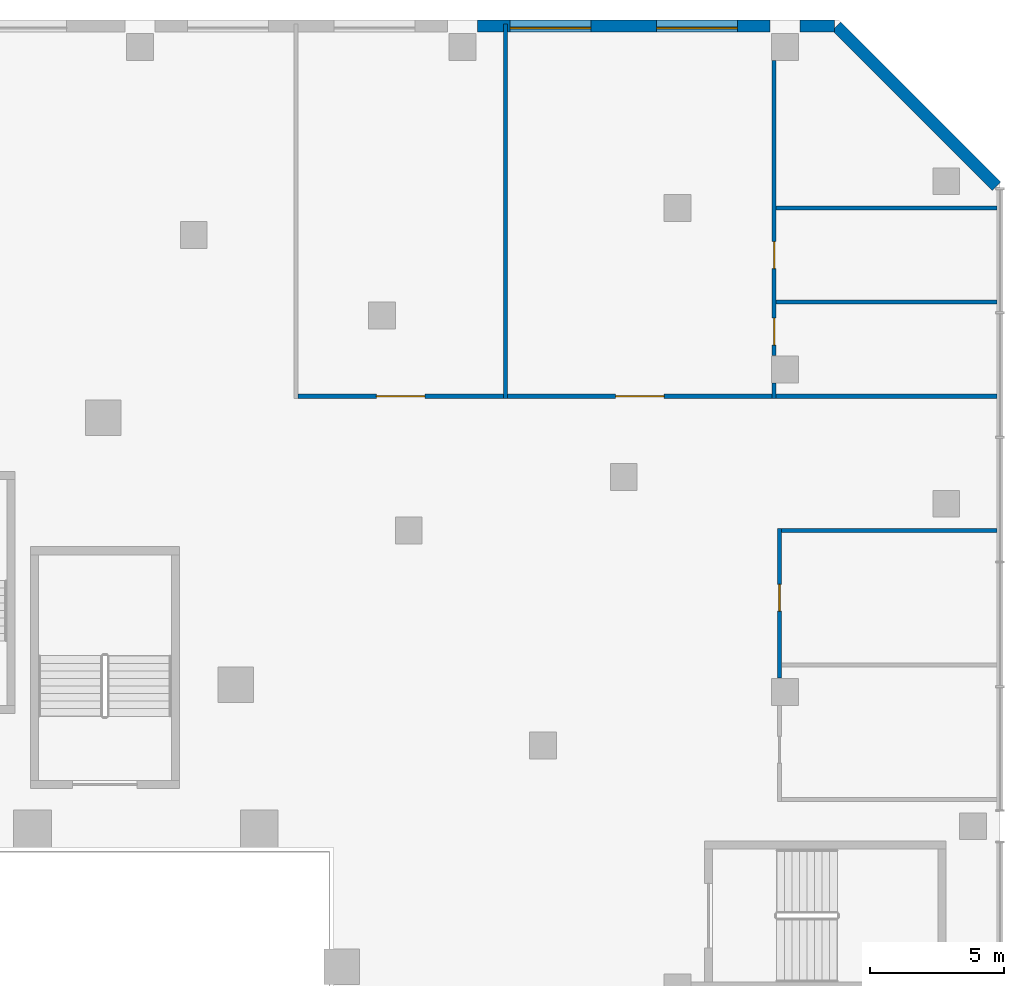
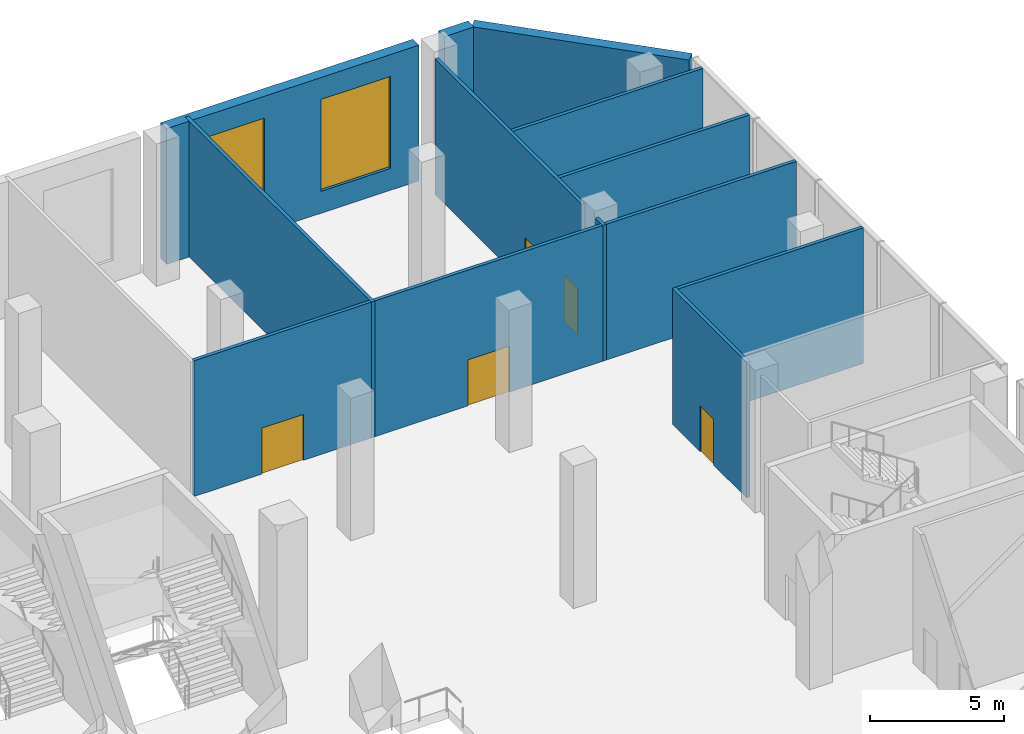
# One storey, part 17 of 30: 13 walls, 5 doors, 2 windows, 7 openings.
"""IFC4 building model written with IfcOpenShell, lengths in metres."""

from ifc_helpers import new_model, si_unit, direction, frame, frame_2d, origin, place, context, subcontext, project, spatial, rectangle, extrude, material, layer, layer_set, type_object, element, fill, save


model = new_model("IFC4")

# Units and contexts
model_context = context("Model", 3, precision=1e-05, world=origin(), true_north=direction((0.0, 1.0)))
body_context = subcontext(model_context, "Body", "Model", "MODEL_VIEW")
ifc_project = project(units=[si_unit("LENGTHUNIT", "METRE"), si_unit("AREAUNIT", "SQUARE_METRE"), si_unit("VOLUMEUNIT", "CUBIC_METRE"), si_unit("PLANEANGLEUNIT", "RADIAN"), si_unit("MASSUNIT", "GRAM", prefix="KILO")], contexts=[model_context])

# Site, building, storey
site_placement = place(None, origin())
site = spatial("IfcSite", under=ifc_project, at=site_placement, CompositionType="ELEMENT")
building_placement = place(site_placement, origin())
building = spatial("IfcBuilding", under=site, at=building_placement, Name="Wharfspan Tower", CompositionType="ELEMENT")
storey_placement = place(building_placement, frame((0.0, 0.0, 15.0)))
storey = spatial("IfcBuildingStorey", under=building, at=storey_placement, Name="L02", CompositionType="ELEMENT", Elevation=15.0)

# Wall, opening, door
ifc_material_1 = material(Name="Calcium silicate masonry", Category="masonry")
ifc_layer_1 = layer(ifc_material_1, 0.149902)
ifc_layer_set_1 = layer_set([ifc_layer_1], Name="Calcium silicate masonry")
wall_type_1 = type_object("IfcWallType", Name="Podium room wall 150", PredefinedType="PARTITIONING", material=ifc_layer_set_1)
wall_1_placement = place(storey_placement, frame((99.800049, 31.51001, 0.0), z_axis=(0.0, 0.0, 1.0), x_axis=(0.0, 1.0, 0.0)))
wall_1 = element("IfcWall", 1, at=wall_1_placement, inside=storey, type_object=wall_type_1, Name="iw:L02:23", PredefinedType="PARTITIONING", context=body_context, shape_type="SweptSolid", body=[
    extrude(rectangle(XDim=5.564941, YDim=0.149902, at=frame_2d((2.782471, 0.0))), origin(), (0.0, 0.0, 1.0), 6.199951),
])
opening_1_placement = place(wall_1_placement, frame((2.48999, 0.0, 0.0)))
opening_1 = element("IfcOpeningElement", 2, at=opening_1_placement, cuts=wall_1, Name="Opening PD02.19", PredefinedType="OPENING", context=body_context, shape_type="SweptSolid", body=[
    extrude(rectangle(XDim=1.0, YDim=2.100098, at=frame_2d((0.5, 1.050049))), frame((0.0, 0.084961, 0.0), z_axis=(0.0, -1.0, 0.0), x_axis=(1.0, 0.0, 0.0)), (0.0, 0.0, 1.0), 0.169922),
])
ifc_material_2 = material(Name="Steel door leaf", Category="steel")
door_type_1 = type_object("IfcDoorType", Name="Podium room door 1000x2100", OperationType="SINGLE_SWING_LEFT", PredefinedType="DOOR", material=ifc_material_2)
door_1_placement = place(opening_1_placement, origin())
door_1 = element("IfcDoor", 3, at=door_1_placement, inside=storey, type_object=door_type_1, Name="id:L02:19", OperationType="SINGLE_SWING_RIGHT", OverallHeight=2.100098, OverallWidth=1.0, PredefinedType="DOOR", context=body_context, shape_type="SweptSolid", body=[
    extrude(rectangle(XDim=1.0, YDim=2.100098, at=frame_2d((0.5, 1.050049))), frame((0.0, 0.024902, 0.0), z_axis=(0.0, -1.0, 0.0), x_axis=(1.0, 0.0, 0.0)), (0.0, 0.0, 1.0), 0.050049),
])
fill(opening_1, door_1)

# Wall
wall_2_placement = place(storey_placement, frame((99.875, 37.0, 0.0), z_axis=(0.0, 0.0, 1.0), x_axis=(1.0, 0.0, 0.0)))
element("IfcWall", 4, at=wall_2_placement, inside=storey, type_object=wall_type_1, Name="iw:L02:33", PredefinedType="PARTITIONING", context=body_context, shape_type="SweptSolid", body=[
    extrude(rectangle(XDim=8.02002, YDim=0.149902, at=frame_2d((4.01001, 0.0))), origin(), (0.0, 0.0, 1.0), 6.199951),
])

# Wall, opening, door
wall_3_placement = place(storey_placement, frame((81.875, 42.0, 0.0), z_axis=(0.0, 0.0, 1.0), x_axis=(1.0, 0.0, 0.0)))
wall_3 = element("IfcWall", 5, at=wall_3_placement, inside=storey, type_object=wall_type_1, Name="iw:L02:34", PredefinedType="PARTITIONING", context=body_context, shape_type="SweptSolid", body=[
    extrude(rectangle(XDim=7.649902, YDim=0.149902, at=frame_2d((3.824951, 0.0))), origin(), (0.0, 0.0, 1.0), 6.199951),
])
opening_2_placement = place(wall_3_placement, frame((2.925049, 0.0, 0.0)))
opening_2 = element("IfcOpeningElement", 6, at=opening_2_placement, cuts=wall_3, Name="Opening PD02.23", PredefinedType="OPENING", context=body_context, shape_type="SweptSolid", body=[
    extrude(rectangle(XDim=1.800049, YDim=2.100098, at=frame_2d((0.899902, 1.050049))), frame((0.0, 0.084961, 0.0), z_axis=(0.0, -1.0, 0.0), x_axis=(1.0, 0.0, 0.0)), (0.0, 0.0, 1.0), 0.169922),
])
door_type_2 = type_object("IfcDoorType", Name="Podium double door 1800x2100", OperationType="DOUBLE_DOOR_SINGLE_SWING", PredefinedType="DOOR", material=ifc_material_2)
door_2_placement = place(opening_2_placement, origin())
door_2 = element("IfcDoor", 7, at=door_2_placement, inside=storey, type_object=door_type_2, Name="id:L02:23", OperationType="DOUBLE_DOOR_SINGLE_SWING", OverallHeight=2.100098, OverallWidth=1.800049, PredefinedType="DOOR", context=body_context, shape_type="SweptSolid", body=[
    extrude(rectangle(XDim=1.800049, YDim=2.100098, at=frame_2d((0.899902, 1.050049))), frame((0.0, 0.024902, 0.0), z_axis=(0.0, -1.0, 0.0), x_axis=(1.0, 0.0, 0.0)), (0.0, 0.0, 1.0), 0.050049),
])
fill(opening_2, door_2)

wall_4_placement = place(storey_placement, frame((89.675049, 42.0, 0.0), z_axis=(0.0, 0.0, 1.0), x_axis=(1.0, 0.0, 0.0)))
wall_4 = element("IfcWall", 8, at=wall_4_placement, inside=storey, type_object=wall_type_1, Name="iw:L02:35", PredefinedType="PARTITIONING", context=body_context, shape_type="SweptSolid", body=[
    extrude(rectangle(XDim=9.849854, YDim=0.149902, at=frame_2d((4.924805, 0.0))), origin(), (0.0, 0.0, 1.0), 6.199951),
])
opening_3_placement = place(wall_4_placement, frame((4.024902, 0.0, 0.0)))
opening_3 = element("IfcOpeningElement", 9, at=opening_3_placement, cuts=wall_4, Name="Opening PD02.24", PredefinedType="OPENING", context=body_context, shape_type="SweptSolid", body=[
    extrude(rectangle(XDim=1.800049, YDim=2.100098, at=frame_2d((0.899902, 1.050049))), frame((0.0, 0.084961, 0.0), z_axis=(0.0, -1.0, 0.0), x_axis=(1.0, 0.0, 0.0)), (0.0, 0.0, 1.0), 0.169922),
])
door_3_placement = place(opening_3_placement, origin())
door_3 = element("IfcDoor", 10, at=door_3_placement, inside=storey, type_object=door_type_2, Name="id:L02:24", OperationType="DOUBLE_DOOR_SINGLE_SWING", OverallHeight=2.100098, OverallWidth=1.800049, PredefinedType="DOOR", context=body_context, shape_type="SweptSolid", body=[
    extrude(rectangle(XDim=1.800049, YDim=2.100098, at=frame_2d((0.899902, 1.050049))), frame((0.0, 0.024902, 0.0), z_axis=(0.0, -1.0, 0.0), x_axis=(1.0, 0.0, 0.0)), (0.0, 0.0, 1.0), 0.050049),
])
fill(opening_3, door_3)

# Walls
for number, where, z_axis, x_axis, name in (
    (11, (99.675049, 42.0, 0.0), (0.0, 0.0, 1.0), (1.0, 0.0, 0.0), "iw:L02:36"),
    (12, (99.675049, 45.5, 0.0), (0.0, 0.0, 1.0), (1.0, 0.0, 0.0), "iw:L02:37"),
):
    element("IfcWall", number, at=place(storey_placement, frame(where, z_axis=z_axis, x_axis=x_axis)), inside=storey, type_object=wall_type_1, Name=name, PredefinedType="PARTITIONING", context=body_context, shape_type="SweptSolid", body=[
        extrude(rectangle(XDim=8.219971, YDim=0.149902, at=frame_2d((4.109863, 0.0))), origin(), (0.0, 0.0, 1.0), 6.199951),
    ])
wall_5_placement = place(storey_placement, frame((99.600098, 41.925049, 0.0), z_axis=(0.0, 0.0, 1.0), x_axis=(0.0, 1.0, 0.0)))
element("IfcWall", 13, at=wall_5_placement, inside=storey, type_object=wall_type_1, Name="iw:L02:38", PredefinedType="PARTITIONING", context=body_context, shape_type="SweptSolid", body=[
    extrude(rectangle(XDim=0.564941, YDim=0.149902, at=frame_2d((0.282471, 0.0))), origin(), (0.0, 0.0, 1.0), 6.199951),
])

# Wall, openings, doors
wall_6_placement = place(storey_placement, frame((99.600098, 43.51001, 0.0), z_axis=(0.0, 0.0, 1.0), x_axis=(0.0, 1.0, 0.0)))
wall_6 = element("IfcWall", 14, at=wall_6_placement, inside=storey, type_object=wall_type_1, Name="iw:L02:39", PredefinedType="PARTITIONING", context=body_context, shape_type="SweptSolid", body=[
    extrude(rectangle(XDim=10.97998, YDim=0.149902, at=frame_2d((5.48999, 0.0))), origin(), (0.0, 0.0, 1.0), 6.199951),
])
opening_4_placement = place(wall_6_placement, frame((0.39502, 0.0, 0.0)))
opening_4 = element("IfcOpeningElement", 15, at=opening_4_placement, cuts=wall_6, Name="Opening PD02.20", PredefinedType="OPENING", context=body_context, shape_type="SweptSolid", body=[
    extrude(rectangle(XDim=1.0, YDim=2.100098, at=frame_2d((0.5, 1.050049))), frame((0.0, 0.084961, 0.0), z_axis=(0.0, -1.0, 0.0), x_axis=(1.0, 0.0, 0.0)), (0.0, 0.0, 1.0), 0.169922),
])
opening_5_placement = place(wall_6_placement, frame((3.23999, 0.0, 0.0)))
opening_5 = element("IfcOpeningElement", 16, at=opening_5_placement, cuts=wall_6, Name="Opening PD02.21", PredefinedType="OPENING", context=body_context, shape_type="SweptSolid", body=[
    extrude(rectangle(XDim=1.0, YDim=2.100098, at=frame_2d((0.5, 1.050049))), frame((0.0, 0.084961, 0.0), z_axis=(0.0, -1.0, 0.0), x_axis=(1.0, 0.0, 0.0)), (0.0, 0.0, 1.0), 0.169922),
])
door_4_placement = place(opening_4_placement, origin())
door_4 = element("IfcDoor", 17, at=door_4_placement, inside=storey, type_object=door_type_1, Name="id:L02:20", OperationType="SINGLE_SWING_LEFT", OverallHeight=2.100098, OverallWidth=1.0, PredefinedType="DOOR", context=body_context, shape_type="SweptSolid", body=[
    extrude(rectangle(XDim=1.0, YDim=2.100098, at=frame_2d((0.5, 1.050049))), frame((0.0, 0.024902, 0.0), z_axis=(0.0, -1.0, 0.0), x_axis=(1.0, 0.0, 0.0)), (0.0, 0.0, 1.0), 0.050049),
])
fill(opening_4, door_4)
door_5_placement = place(opening_5_placement, origin())
door_5 = element("IfcDoor", 18, at=door_5_placement, inside=storey, type_object=door_type_1, Name="id:L02:21", OperationType="SINGLE_SWING_RIGHT", OverallHeight=2.100098, OverallWidth=1.0, PredefinedType="DOOR", context=body_context, shape_type="SweptSolid", body=[
    extrude(rectangle(XDim=1.0, YDim=2.100098, at=frame_2d((0.5, 1.050049))), frame((0.0, 0.024902, 0.0), z_axis=(0.0, -1.0, 0.0), x_axis=(1.0, 0.0, 0.0)), (0.0, 0.0, 1.0), 0.050049),
])
fill(opening_5, door_5)

# Walls
wall_7_placement = place(storey_placement, frame((99.675049, 49.0, 0.0), z_axis=(0.0, 0.0, 1.0), x_axis=(1.0, 0.0, 0.0)))
element("IfcWall", 19, at=wall_7_placement, inside=storey, type_object=wall_type_1, Name="iw:L02:40", PredefinedType="PARTITIONING", context=body_context, shape_type="SweptSolid", body=[
    extrude(rectangle(XDim=8.219971, YDim=0.149902, at=frame_2d((4.109863, 0.0))), origin(), (0.0, 0.0, 1.0), 6.199951),
])
wall_8_placement = place(storey_placement, frame((89.600098, 41.925049, 0.0), z_axis=(0.0, 0.0, 1.0), x_axis=(0.0, 1.0, 0.0)))
element("IfcWall", 20, at=wall_8_placement, inside=storey, type_object=wall_type_1, Name="iw:L02:47", PredefinedType="PARTITIONING", context=body_context, shape_type="SweptSolid", body=[
    extrude(rectangle(XDim=13.925049, YDim=0.149902, at=frame_2d((6.962402, 0.0))), origin(), (0.0, 0.0, 1.0), 6.199951),
])
ifc_material_3 = material(Name="Concrete C40/50", Category="concrete")
ifc_layer_2 = layer(ifc_material_3, 0.449951)
ifc_layer_set_2 = layer_set([ifc_layer_2], Name="Concrete C40/50")
wall_type_2 = type_object("IfcWallType", Name="WALL BOARD-MARKED CONCRETE 450", PredefinedType="SOLIDWALL", material=ifc_layer_set_2)
wall_9_placement = place(storey_placement, frame((107.869141, 49.8125, 0.0), z_axis=(0.0, 0.0, 1.0), x_axis=(-0.707092, 0.707121, 0.0)))
element("IfcWall", 21, at=wall_9_placement, inside=storey, type_object=wall_type_2, Name="Podium wall PF4", PredefinedType="SOLIDWALL", context=body_context, shape_type="SweptSolid", body=[
    extrude(rectangle(XDim=8.425293, YDim=0.449951, at=frame_2d((4.212646, 0.0))), origin(), (0.0, 0.0, 1.0), 6.199951),
])

# Wall, openings, windows
wall_10_placement = place(storey_placement, frame((99.449951, 55.774902, 0.0), z_axis=(0.0, 0.0, 1.0), x_axis=(-1.0, 0.0, 0.0)))
wall_10 = element("IfcWall", 22, at=wall_10_placement, inside=storey, type_object=wall_type_2, Name="Podium wall PF5", PredefinedType="SOLIDWALL", context=body_context, shape_type="SweptSolid", body=[
    extrude(rectangle(XDim=10.899902, YDim=0.449951, at=frame_2d((5.449951, 0.0))), origin(), (0.0, 0.0, 1.0), 6.199951),
])
opening_6_placement = place(wall_10_placement, frame((1.225098, 0.0, 1.0)))
opening_6 = element("IfcOpeningElement", 23, at=opening_6_placement, cuts=wall_10, Name="Opening EWN2", PredefinedType="OPENING", context=body_context, shape_type="SweptSolid", body=[
    extrude(rectangle(XDim=3.0, YDim=4.199951, at=frame_2d((1.5, 2.100098))), frame((0.0, 0.234863, 0.0), z_axis=(0.0, -1.0, 0.0), x_axis=(1.0, 0.0, 0.0)), (0.0, 0.0, 1.0), 0.469971),
])
opening_7_placement = place(wall_10_placement, frame((6.675049, 0.0, 1.0)))
opening_7 = element("IfcOpeningElement", 24, at=opening_7_placement, cuts=wall_10, Name="Opening EWN2", PredefinedType="OPENING", context=body_context, shape_type="SweptSolid", body=[
    extrude(rectangle(XDim=3.0, YDim=4.199951, at=frame_2d((1.5, 2.100098))), frame((0.0, 0.234863, 0.0), z_axis=(0.0, -1.0, 0.0), x_axis=(1.0, 0.0, 0.0)), (0.0, 0.0, 1.0), 0.469971),
])
ifc_material_4 = material(Name="Aluminium 6063-T6", Category="aluminium")
window_type = type_object("IfcWindowType", Name="WINDOW 3000x4200", PartitioningType="SINGLE_PANEL", PredefinedType="WINDOW", material=ifc_material_4)
window_1_placement = place(opening_6_placement, origin())
window_1 = element("IfcWindow", 25, at=window_1_placement, inside=storey, type_object=window_type, Name="Podium window", OverallHeight=4.199951, OverallWidth=3.0, PartitioningType="SINGLE_PANEL", PredefinedType="WINDOW", context=body_context, shape_type="SweptSolid", body=[
    extrude(rectangle(XDim=3.0, YDim=4.199951, at=frame_2d((1.5, 2.100098))), frame((0.0, 0.10498, 0.0), z_axis=(0.0, -1.0, 0.0), x_axis=(1.0, 0.0, 0.0)), (0.0, 0.0, 1.0), 0.060059),
])
fill(opening_6, window_1)
window_2_placement = place(opening_7_placement, origin())
window_2 = element("IfcWindow", 26, at=window_2_placement, inside=storey, type_object=window_type, Name="Podium window", OverallHeight=4.199951, OverallWidth=3.0, PartitioningType="SINGLE_PANEL", PredefinedType="WINDOW", context=body_context, shape_type="SweptSolid", body=[
    extrude(rectangle(XDim=3.0, YDim=4.199951, at=frame_2d((1.5, 2.100098))), frame((0.0, 0.10498, 0.0), z_axis=(0.0, -1.0, 0.0), x_axis=(1.0, 0.0, 0.0)), (0.0, 0.0, 1.0), 0.060059),
])
fill(opening_7, window_2)

# Wall
wall_11_placement = place(storey_placement, frame((101.840088, 55.774902, 0.0), z_axis=(0.0, 0.0, 1.0), x_axis=(-1.0, 0.0, 0.0)))
element("IfcWall", 27, at=wall_11_placement, inside=storey, type_object=wall_type_2, Name="Podium wall PF5", PredefinedType="SOLIDWALL", context=body_context, shape_type="SweptSolid", body=[
    extrude(rectangle(XDim=1.290039, YDim=0.449951, at=frame_2d((0.64502, 0.0))), origin(), (0.0, 0.0, 1.0), 6.199951),
])

save(model, "model.ifc")
